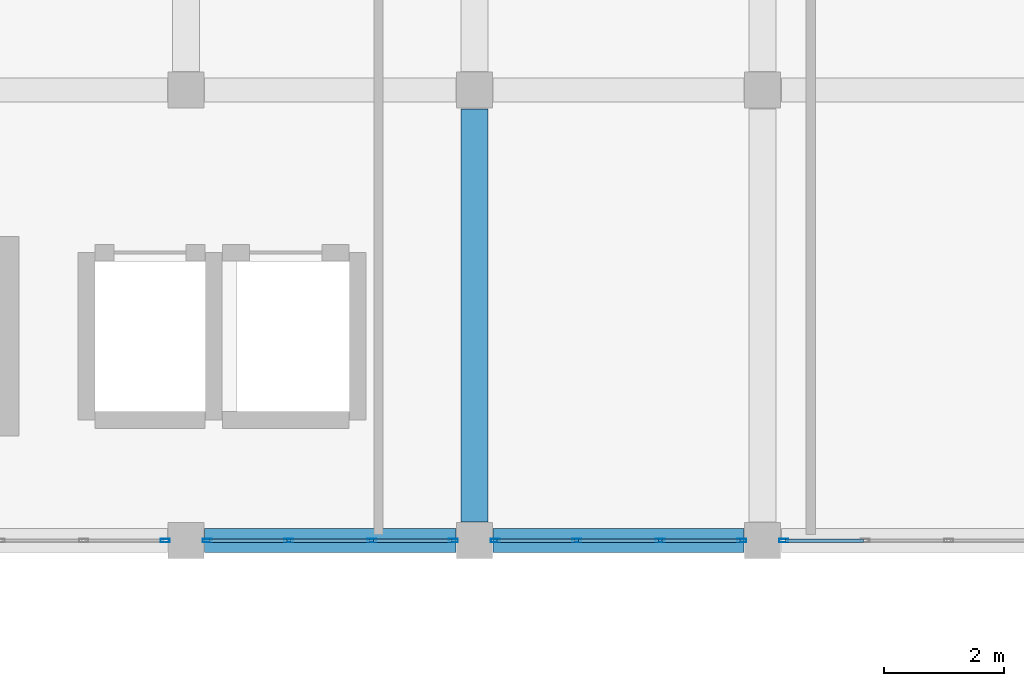
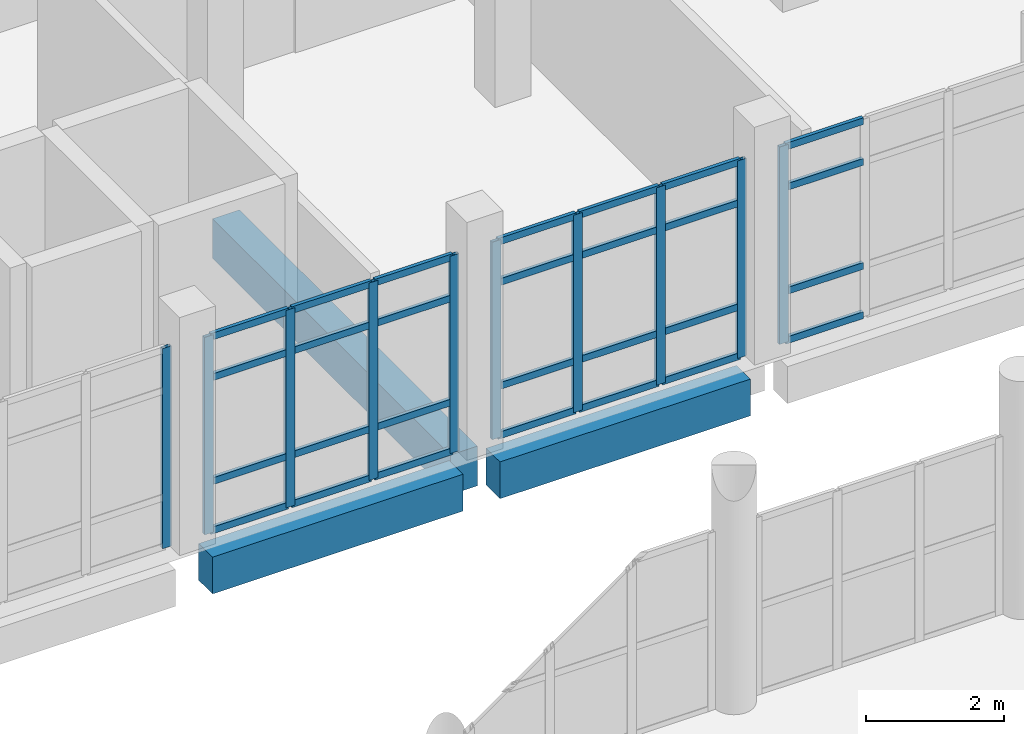
# One storey, part 87 of 164: 38 members, 3 beams, 4 elements without a shape of their own.
"""IFC4 building model written with IfcOpenShell, lengths in metres."""

from ifc_helpers import new_model, si_unit, direction, frame, origin, origin_2d, place, context, subcontext, project, spatial, rectangle, hollow_rectangle, extrude, material, layer, layer_set, material_profile, profile_set, type_object, element, aggregate, save


model = new_model("IFC4")

# Units and contexts
model_context = context("Model", 3, precision=1e-05, world=origin(), true_north=direction((0.0, 1.0)))
body_context = subcontext(model_context, "Body", "Model", "MODEL_VIEW")
ifc_project = project(units=[si_unit("LENGTHUNIT", "METRE"), si_unit("AREAUNIT", "SQUARE_METRE"), si_unit("VOLUMEUNIT", "CUBIC_METRE"), si_unit("PLANEANGLEUNIT", "RADIAN"), si_unit("MASSUNIT", "GRAM", prefix="KILO")], contexts=[model_context])

# Site, building, storey
site_placement = place(None, origin())
site = spatial("IfcSite", under=ifc_project, at=site_placement, CompositionType="ELEMENT")
building_placement = place(site_placement, origin())
building = spatial("IfcBuilding", under=site, at=building_placement, Name="Mawjan Specialist Oncology Clinic", CompositionType="ELEMENT")
storey_placement = place(building_placement, frame((0.0, 0.0, 5.0)))
storey = spatial("IfcBuildingStorey", under=building, at=storey_placement, Name="L01", CompositionType="ELEMENT", Elevation=5.0)

# Beam
ifc_material_1 = material(Name="Concrete C40/50", Category="concrete")
ifc_material_profile_1 = material_profile(ifc_material_1, rectangle(XDim=0.449951171875, YDim=0.699951171875, at=origin_2d()), Name="RC BM 450x700", Category="concrete")
ifc_profile_set_1 = profile_set([ifc_material_profile_1], Name="Concrete C40/50")
beam_type_1 = type_object("IfcBeamType", Name="BM-450x700", PredefinedType="BEAM", material=ifc_profile_set_1)
beam_1_placement = place(storey_placement, frame((69.60009765625, 83.610107421875, -0.64990234375), z_axis=(0.0, 1.0, 0.0), x_axis=(-1.0, 0.0, 0.0)))
element("IfcBeam", 1, at=beam_1_placement, inside=storey, type_object=beam_type_1, Name="L01 Collector Beam BM-L01-0504", PredefinedType="BEAM", context=body_context, shape_type="SweptSolid", body=[
    extrude(rectangle(XDim=0.449951171875, YDim=0.699951171875, at=origin_2d()), origin(), (0.0, 0.0, 1.0), 6.8798828125),
])

# Curtain wall, member
ifc_material_2 = material(Name="Unitised spectrally selective aluminium curtain wall", Category="aluminium")
ifc_layer_1 = layer(ifc_material_2, 0.179931640625, Name="Unitised spectrally selective aluminium curtain wall", Category="aluminium")
ifc_layer_set_1 = layer_set([ifc_layer_1], Name="Unitised spectrally selective aluminium curtain wall")
curtain_wall_type_1 = type_object("IfcCurtainWallType", Name="CW-58", PredefinedType="NOTDEFINED", material=ifc_layer_set_1)
curtain_wall_1_placement = place(storey_placement, origin())
curtain_wall_1 = element("IfcCurtainWall", 2, at=curtain_wall_1_placement, inside=storey, type_object=curtain_wall_type_1, Name="L01 Unitised Curtain Wall CW-L01-110", PredefinedType="NOTDEFINED")
ifc_material_3 = material(Name="Thermally broken aluminium 6063-T6", Category="aluminium")
ifc_material_profile_2 = material_profile(ifc_material_3, hollow_rectangle(XDim=0.06005859375, YDim=0.14990234375, WallThickness=0.00390625, at=origin_2d()), Name="ALU MULLION 150x60x4", Category="aluminium")
ifc_profile_set_2 = profile_set([ifc_material_profile_2], Name="Thermally broken aluminium 6063-T6")
member_type_1 = type_object("IfcMemberType", Name="CW-M150", PredefinedType="MULLION", material=ifc_profile_set_2)
member_1_placement = place(storey_placement, frame((74.75, 83.300048828125, 0.0), z_axis=(0.0, 0.0, 1.0), x_axis=(0.0, -1.0, 0.0)))
member_1 = element("IfcMember", 3, at=member_1_placement, type_object=member_type_1, Name="CW-58 mullion 4", PredefinedType="MULLION", context=body_context, shape_type="SweptSolid", body=[
    extrude(hollow_rectangle(XDim=0.06005859375, YDim=0.14990234375, WallThickness=0.00390625, at=origin_2d()), origin(), (0.0, 0.0, 1.0), 3.485107421875),
])

# Curtain wall, members
curtain_wall_2_placement = place(storey_placement, origin())
curtain_wall_2 = element("IfcCurtainWall", 4, at=curtain_wall_2_placement, inside=storey, type_object=curtain_wall_type_1, Name="L01 Unitised Curtain Wall CW-L01-111", PredefinedType="NOTDEFINED")
member_2_placement = place(storey_placement, frame((74.050048828125, 83.300048828125, 0.0), z_axis=(0.0, 0.0, 1.0), x_axis=(0.0, -1.0, 0.0)))
member_2 = element("IfcMember", 5, at=member_2_placement, type_object=member_type_1, Name="CW-58 mullion 1", PredefinedType="MULLION", context=body_context, shape_type="SweptSolid", body=[
    extrude(hollow_rectangle(XDim=0.06005859375, YDim=0.14990234375, WallThickness=0.00390625, at=origin_2d()), origin(), (0.0, 0.0, 1.0), 3.485107421875),
])
member_3_placement = place(storey_placement, frame((72.693359375, 83.300048828125, 0.0), z_axis=(0.0, 0.0, 1.0), x_axis=(0.0, -1.0, 0.0)))
member_3 = element("IfcMember", 6, at=member_3_placement, type_object=member_type_1, Name="CW-58 mullion 2", PredefinedType="MULLION", context=body_context, shape_type="SweptSolid", body=[
    extrude(hollow_rectangle(XDim=0.06005859375, YDim=0.14990234375, WallThickness=0.00390625, at=origin_2d()), origin(), (0.0, 0.0, 1.0), 3.485107421875),
])
member_4_placement = place(storey_placement, frame((71.306640625, 83.300048828125, 0.0), z_axis=(0.0, 0.0, 1.0), x_axis=(0.0, -1.0, 0.0)))
member_4 = element("IfcMember", 7, at=member_4_placement, type_object=member_type_1, Name="CW-58 mullion 3", PredefinedType="MULLION", context=body_context, shape_type="SweptSolid", body=[
    extrude(hollow_rectangle(XDim=0.06005859375, YDim=0.14990234375, WallThickness=0.00390625, at=origin_2d()), origin(), (0.0, 0.0, 1.0), 3.485107421875),
])
member_5_placement = place(storey_placement, frame((69.949951171875, 83.300048828125, 0.0), z_axis=(0.0, 0.0, 1.0), x_axis=(0.0, -1.0, 0.0)))
member_5 = element("IfcMember", 8, at=member_5_placement, type_object=member_type_1, Name="CW-58 mullion 4", PredefinedType="MULLION", context=body_context, shape_type="SweptSolid", body=[
    extrude(hollow_rectangle(XDim=0.06005859375, YDim=0.14990234375, WallThickness=0.00390625, at=origin_2d()), origin(), (0.0, 0.0, 1.0), 3.485107421875),
])

curtain_wall_3_placement = place(storey_placement, origin())
curtain_wall_3 = element("IfcCurtainWall", 9, at=curtain_wall_3_placement, inside=storey, type_object=curtain_wall_type_1, Name="L01 Unitised Curtain Wall CW-L01-112", PredefinedType="NOTDEFINED")
member_6_placement = place(storey_placement, frame((69.25, 83.300048828125, 0.0), z_axis=(0.0, 0.0, 1.0), x_axis=(0.0, -1.0, 0.0)))
member_6 = element("IfcMember", 10, at=member_6_placement, type_object=member_type_1, Name="CW-58 mullion 1", PredefinedType="MULLION", context=body_context, shape_type="SweptSolid", body=[
    extrude(hollow_rectangle(XDim=0.06005859375, YDim=0.14990234375, WallThickness=0.00390625, at=origin_2d()), origin(), (0.0, 0.0, 1.0), 3.485107421875),
])
member_7_placement = place(storey_placement, frame((67.893310546875, 83.300048828125, 0.0), z_axis=(0.0, 0.0, 1.0), x_axis=(0.0, -1.0, 0.0)))
member_7 = element("IfcMember", 11, at=member_7_placement, type_object=member_type_1, Name="CW-58 mullion 2", PredefinedType="MULLION", context=body_context, shape_type="SweptSolid", body=[
    extrude(hollow_rectangle(XDim=0.06005859375, YDim=0.14990234375, WallThickness=0.00390625, at=origin_2d()), origin(), (0.0, 0.0, 1.0), 3.485107421875),
])
member_8_placement = place(storey_placement, frame((66.506591796875, 83.300048828125, 0.0), z_axis=(0.0, 0.0, 1.0), x_axis=(0.0, -1.0, 0.0)))
member_8 = element("IfcMember", 12, at=member_8_placement, type_object=member_type_1, Name="CW-58 mullion 3", PredefinedType="MULLION", context=body_context, shape_type="SweptSolid", body=[
    extrude(hollow_rectangle(XDim=0.06005859375, YDim=0.14990234375, WallThickness=0.00390625, at=origin_2d()), origin(), (0.0, 0.0, 1.0), 3.485107421875),
])
member_9_placement = place(storey_placement, frame((65.14990234375, 83.300048828125, 0.0), z_axis=(0.0, 0.0, 1.0), x_axis=(0.0, -1.0, 0.0)))
member_9 = element("IfcMember", 13, at=member_9_placement, type_object=member_type_1, Name="CW-58 mullion 4", PredefinedType="MULLION", context=body_context, shape_type="SweptSolid", body=[
    extrude(hollow_rectangle(XDim=0.06005859375, YDim=0.14990234375, WallThickness=0.00390625, at=origin_2d()), origin(), (0.0, 0.0, 1.0), 3.485107421875),
])

# Curtain wall, member
ifc_material_4 = material(Name="Unitised spectrally selective aluminium curtain wall", Category="aluminium")
ifc_layer_2 = layer(ifc_material_4, 0.179931640625, Name="Unitised spectrally selective aluminium curtain wall", Category="aluminium")
ifc_layer_set_2 = layer_set([ifc_layer_2], Name="Unitised spectrally selective aluminium curtain wall")
curtain_wall_type_2 = type_object("IfcCurtainWallType", Name="CW-59", PredefinedType="NOTDEFINED", material=ifc_layer_set_2)
curtain_wall_4_placement = place(storey_placement, origin())
curtain_wall_4 = element("IfcCurtainWall", 14, at=curtain_wall_4_placement, inside=storey, type_object=curtain_wall_type_2, Name="L01 Unitised Curtain Wall CW-L01-113", PredefinedType="NOTDEFINED")
member_10_placement = place(storey_placement, frame((64.449951171875, 83.300048828125, 0.0), z_axis=(0.0, 0.0, 1.0), x_axis=(0.0, -1.0, 0.0)))
member_10 = element("IfcMember", 15, at=member_10_placement, type_object=member_type_1, Name="CW-59 mullion 1", PredefinedType="MULLION", context=body_context, shape_type="SweptSolid", body=[
    extrude(hollow_rectangle(XDim=0.06005859375, YDim=0.14990234375, WallThickness=0.00390625, at=origin_2d()), origin(), (0.0, 0.0, 1.0), 3.534912109375),
])
aggregate(curtain_wall_4, [member_10])

# Member
ifc_material_5 = material(Name="Thermally broken aluminium 6063-T6", Category="aluminium")
ifc_material_profile_3 = material_profile(ifc_material_5, hollow_rectangle(XDim=0.06005859375, YDim=0.1201171875, WallThickness=0.00390625, at=origin_2d()), Name="ALU TRANSOM 120x60x4", Category="aluminium")
ifc_profile_set_3 = profile_set([ifc_material_profile_3], Name="Thermally broken aluminium 6063-T6")
member_type_2 = type_object("IfcMemberType", Name="CW-T120", PredefinedType="USERDEFINED", material=ifc_profile_set_3)
member_11_placement = place(storey_placement, frame((76.07666015625, 83.300048828125, 0.030029296875), z_axis=(-1.0, 0.0, 0.0), x_axis=(0.0, -1.0, 0.0)))
member_11 = element("IfcMember", 16, at=member_11_placement, type_object=member_type_2, Name="CW-58 transom 3.1", ObjectType="TRANSOM", PredefinedType="USERDEFINED", context=body_context, shape_type="SweptSolid", body=[
    extrude(hollow_rectangle(XDim=0.06005859375, YDim=0.1201171875, WallThickness=0.00390625, at=origin_2d()), origin(), (0.0, 0.0, 1.0), 1.296630859375),
])

member_12_placement = place(storey_placement, frame((76.07666015625, 83.300048828125, 0.89990234375), z_axis=(-1.0, 0.0, 0.0), x_axis=(0.0, -1.0, 0.0)))
member_12 = element("IfcMember", 17, at=member_12_placement, type_object=member_type_2, Name="CW-58 transom 3.2", ObjectType="TRANSOM", PredefinedType="USERDEFINED", context=body_context, shape_type="SweptSolid", body=[
    extrude(hollow_rectangle(XDim=0.06005859375, YDim=0.1201171875, WallThickness=0.00390625, at=origin_2d()), origin(), (0.0, 0.0, 1.0), 1.296630859375),
])

member_13_placement = place(storey_placement, frame((76.07666015625, 83.300048828125, 2.735107421875), z_axis=(-1.0, 0.0, 0.0), x_axis=(0.0, -1.0, 0.0)))
member_13 = element("IfcMember", 18, at=member_13_placement, type_object=member_type_2, Name="CW-58 transom 3.3", ObjectType="TRANSOM", PredefinedType="USERDEFINED", context=body_context, shape_type="SweptSolid", body=[
    extrude(hollow_rectangle(XDim=0.06005859375, YDim=0.1201171875, WallThickness=0.00390625, at=origin_2d()), origin(), (0.0, 0.0, 1.0), 1.296630859375),
])

member_14_placement = place(storey_placement, frame((76.07666015625, 83.300048828125, 3.455078125), z_axis=(-1.0, 0.0, 0.0), x_axis=(0.0, -1.0, 0.0)))
member_14 = element("IfcMember", 19, at=member_14_placement, type_object=member_type_2, Name="CW-58 transom 3.4", ObjectType="TRANSOM", PredefinedType="USERDEFINED", context=body_context, shape_type="SweptSolid", body=[
    extrude(hollow_rectangle(XDim=0.06005859375, YDim=0.1201171875, WallThickness=0.00390625, at=origin_2d()), origin(), (0.0, 0.0, 1.0), 1.296630859375),
])

aggregate(curtain_wall_1, [member_1, member_11, member_12, member_13, member_14])

member_15_placement = place(storey_placement, frame((74.02001953125, 83.300048828125, 0.030029296875), z_axis=(-1.0, 0.0, 0.0), x_axis=(0.0, -1.0, 0.0)))
member_15 = element("IfcMember", 20, at=member_15_placement, type_object=member_type_2, Name="CW-58 transom 1.1", ObjectType="TRANSOM", PredefinedType="USERDEFINED", context=body_context, shape_type="SweptSolid", body=[
    extrude(hollow_rectangle(XDim=0.06005859375, YDim=0.1201171875, WallThickness=0.00390625, at=origin_2d()), origin(), (0.0, 0.0, 1.0), 1.296630859375),
])

member_16_placement = place(storey_placement, frame((74.02001953125, 83.300048828125, 0.89990234375), z_axis=(-1.0, 0.0, 0.0), x_axis=(0.0, -1.0, 0.0)))
member_16 = element("IfcMember", 21, at=member_16_placement, type_object=member_type_2, Name="CW-58 transom 1.2", ObjectType="TRANSOM", PredefinedType="USERDEFINED", context=body_context, shape_type="SweptSolid", body=[
    extrude(hollow_rectangle(XDim=0.06005859375, YDim=0.1201171875, WallThickness=0.00390625, at=origin_2d()), origin(), (0.0, 0.0, 1.0), 1.296630859375),
])

member_17_placement = place(storey_placement, frame((74.02001953125, 83.300048828125, 2.735107421875), z_axis=(-1.0, 0.0, 0.0), x_axis=(0.0, -1.0, 0.0)))
member_17 = element("IfcMember", 22, at=member_17_placement, type_object=member_type_2, Name="CW-58 transom 1.3", ObjectType="TRANSOM", PredefinedType="USERDEFINED", context=body_context, shape_type="SweptSolid", body=[
    extrude(hollow_rectangle(XDim=0.06005859375, YDim=0.1201171875, WallThickness=0.00390625, at=origin_2d()), origin(), (0.0, 0.0, 1.0), 1.296630859375),
])

member_18_placement = place(storey_placement, frame((74.02001953125, 83.300048828125, 3.455078125), z_axis=(-1.0, 0.0, 0.0), x_axis=(0.0, -1.0, 0.0)))
member_18 = element("IfcMember", 23, at=member_18_placement, type_object=member_type_2, Name="CW-58 transom 1.4", ObjectType="TRANSOM", PredefinedType="USERDEFINED", context=body_context, shape_type="SweptSolid", body=[
    extrude(hollow_rectangle(XDim=0.06005859375, YDim=0.1201171875, WallThickness=0.00390625, at=origin_2d()), origin(), (0.0, 0.0, 1.0), 1.296630859375),
])

member_19_placement = place(storey_placement, frame((72.663330078125, 83.300048828125, 0.030029296875), z_axis=(-1.0, 0.0, 0.0), x_axis=(0.0, -1.0, 0.0)))
member_19 = element("IfcMember", 24, at=member_19_placement, type_object=member_type_2, Name="CW-58 transom 2.1", ObjectType="TRANSOM", PredefinedType="USERDEFINED", context=body_context, shape_type="SweptSolid", body=[
    extrude(hollow_rectangle(XDim=0.06005859375, YDim=0.1201171875, WallThickness=0.00390625, at=origin_2d()), origin(), (0.0, 0.0, 1.0), 1.32666015625),
])

member_20_placement = place(storey_placement, frame((72.663330078125, 83.300048828125, 0.89990234375), z_axis=(-1.0, 0.0, 0.0), x_axis=(0.0, -1.0, 0.0)))
member_20 = element("IfcMember", 25, at=member_20_placement, type_object=member_type_2, Name="CW-58 transom 2.2", ObjectType="TRANSOM", PredefinedType="USERDEFINED", context=body_context, shape_type="SweptSolid", body=[
    extrude(hollow_rectangle(XDim=0.06005859375, YDim=0.1201171875, WallThickness=0.00390625, at=origin_2d()), origin(), (0.0, 0.0, 1.0), 1.32666015625),
])

member_21_placement = place(storey_placement, frame((72.663330078125, 83.300048828125, 2.735107421875), z_axis=(-1.0, 0.0, 0.0), x_axis=(0.0, -1.0, 0.0)))
member_21 = element("IfcMember", 26, at=member_21_placement, type_object=member_type_2, Name="CW-58 transom 2.3", ObjectType="TRANSOM", PredefinedType="USERDEFINED", context=body_context, shape_type="SweptSolid", body=[
    extrude(hollow_rectangle(XDim=0.06005859375, YDim=0.1201171875, WallThickness=0.00390625, at=origin_2d()), origin(), (0.0, 0.0, 1.0), 1.32666015625),
])

member_22_placement = place(storey_placement, frame((72.663330078125, 83.300048828125, 3.455078125), z_axis=(-1.0, 0.0, 0.0), x_axis=(0.0, -1.0, 0.0)))
member_22 = element("IfcMember", 27, at=member_22_placement, type_object=member_type_2, Name="CW-58 transom 2.4", ObjectType="TRANSOM", PredefinedType="USERDEFINED", context=body_context, shape_type="SweptSolid", body=[
    extrude(hollow_rectangle(XDim=0.06005859375, YDim=0.1201171875, WallThickness=0.00390625, at=origin_2d()), origin(), (0.0, 0.0, 1.0), 1.32666015625),
])

member_23_placement = place(storey_placement, frame((71.276611328125, 83.300048828125, 0.030029296875), z_axis=(-1.0, 0.0, 0.0), x_axis=(0.0, -1.0, 0.0)))
member_23 = element("IfcMember", 28, at=member_23_placement, type_object=member_type_2, Name="CW-58 transom 3.1", ObjectType="TRANSOM", PredefinedType="USERDEFINED", context=body_context, shape_type="SweptSolid", body=[
    extrude(hollow_rectangle(XDim=0.06005859375, YDim=0.1201171875, WallThickness=0.00390625, at=origin_2d()), origin(), (0.0, 0.0, 1.0), 1.296630859375),
])

member_24_placement = place(storey_placement, frame((71.276611328125, 83.300048828125, 0.89990234375), z_axis=(-1.0, 0.0, 0.0), x_axis=(0.0, -1.0, 0.0)))
member_24 = element("IfcMember", 29, at=member_24_placement, type_object=member_type_2, Name="CW-58 transom 3.2", ObjectType="TRANSOM", PredefinedType="USERDEFINED", context=body_context, shape_type="SweptSolid", body=[
    extrude(hollow_rectangle(XDim=0.06005859375, YDim=0.1201171875, WallThickness=0.00390625, at=origin_2d()), origin(), (0.0, 0.0, 1.0), 1.296630859375),
])

member_25_placement = place(storey_placement, frame((71.276611328125, 83.300048828125, 2.735107421875), z_axis=(-1.0, 0.0, 0.0), x_axis=(0.0, -1.0, 0.0)))
member_25 = element("IfcMember", 30, at=member_25_placement, type_object=member_type_2, Name="CW-58 transom 3.3", ObjectType="TRANSOM", PredefinedType="USERDEFINED", context=body_context, shape_type="SweptSolid", body=[
    extrude(hollow_rectangle(XDim=0.06005859375, YDim=0.1201171875, WallThickness=0.00390625, at=origin_2d()), origin(), (0.0, 0.0, 1.0), 1.296630859375),
])

member_26_placement = place(storey_placement, frame((71.276611328125, 83.300048828125, 3.455078125), z_axis=(-1.0, 0.0, 0.0), x_axis=(0.0, -1.0, 0.0)))
member_26 = element("IfcMember", 31, at=member_26_placement, type_object=member_type_2, Name="CW-58 transom 3.4", ObjectType="TRANSOM", PredefinedType="USERDEFINED", context=body_context, shape_type="SweptSolid", body=[
    extrude(hollow_rectangle(XDim=0.06005859375, YDim=0.1201171875, WallThickness=0.00390625, at=origin_2d()), origin(), (0.0, 0.0, 1.0), 1.296630859375),
])

aggregate(curtain_wall_2, [member_2, member_3, member_4, member_5, member_15, member_16, member_17, member_18, member_19, member_20, member_21, member_22, member_23, member_24, member_25, member_26])

member_27_placement = place(storey_placement, frame((69.219970703125, 83.300048828125, 0.030029296875), z_axis=(-1.0, 0.0, 0.0), x_axis=(0.0, -1.0, 0.0)))
member_27 = element("IfcMember", 32, at=member_27_placement, type_object=member_type_2, Name="CW-58 transom 1.1", ObjectType="TRANSOM", PredefinedType="USERDEFINED", context=body_context, shape_type="SweptSolid", body=[
    extrude(hollow_rectangle(XDim=0.06005859375, YDim=0.1201171875, WallThickness=0.00390625, at=origin_2d()), origin(), (0.0, 0.0, 1.0), 1.296630859375),
])

member_28_placement = place(storey_placement, frame((69.219970703125, 83.300048828125, 0.89990234375), z_axis=(-1.0, 0.0, 0.0), x_axis=(0.0, -1.0, 0.0)))
member_28 = element("IfcMember", 33, at=member_28_placement, type_object=member_type_2, Name="CW-58 transom 1.2", ObjectType="TRANSOM", PredefinedType="USERDEFINED", context=body_context, shape_type="SweptSolid", body=[
    extrude(hollow_rectangle(XDim=0.06005859375, YDim=0.1201171875, WallThickness=0.00390625, at=origin_2d()), origin(), (0.0, 0.0, 1.0), 1.296630859375),
])

member_29_placement = place(storey_placement, frame((69.219970703125, 83.300048828125, 2.735107421875), z_axis=(-1.0, 0.0, 0.0), x_axis=(0.0, -1.0, 0.0)))
member_29 = element("IfcMember", 34, at=member_29_placement, type_object=member_type_2, Name="CW-58 transom 1.3", ObjectType="TRANSOM", PredefinedType="USERDEFINED", context=body_context, shape_type="SweptSolid", body=[
    extrude(hollow_rectangle(XDim=0.06005859375, YDim=0.1201171875, WallThickness=0.00390625, at=origin_2d()), origin(), (0.0, 0.0, 1.0), 1.296630859375),
])

member_30_placement = place(storey_placement, frame((69.219970703125, 83.300048828125, 3.455078125), z_axis=(-1.0, 0.0, 0.0), x_axis=(0.0, -1.0, 0.0)))
member_30 = element("IfcMember", 35, at=member_30_placement, type_object=member_type_2, Name="CW-58 transom 1.4", ObjectType="TRANSOM", PredefinedType="USERDEFINED", context=body_context, shape_type="SweptSolid", body=[
    extrude(hollow_rectangle(XDim=0.06005859375, YDim=0.1201171875, WallThickness=0.00390625, at=origin_2d()), origin(), (0.0, 0.0, 1.0), 1.296630859375),
])

member_31_placement = place(storey_placement, frame((67.86328125, 83.300048828125, 0.030029296875), z_axis=(-1.0, 0.0, 0.0), x_axis=(0.0, -1.0, 0.0)))
member_31 = element("IfcMember", 36, at=member_31_placement, type_object=member_type_2, Name="CW-58 transom 2.1", ObjectType="TRANSOM", PredefinedType="USERDEFINED", context=body_context, shape_type="SweptSolid", body=[
    extrude(hollow_rectangle(XDim=0.06005859375, YDim=0.1201171875, WallThickness=0.00390625, at=origin_2d()), origin(), (0.0, 0.0, 1.0), 1.32666015625),
])

member_32_placement = place(storey_placement, frame((67.86328125, 83.300048828125, 0.89990234375), z_axis=(-1.0, 0.0, 0.0), x_axis=(0.0, -1.0, 0.0)))
member_32 = element("IfcMember", 37, at=member_32_placement, type_object=member_type_2, Name="CW-58 transom 2.2", ObjectType="TRANSOM", PredefinedType="USERDEFINED", context=body_context, shape_type="SweptSolid", body=[
    extrude(hollow_rectangle(XDim=0.06005859375, YDim=0.1201171875, WallThickness=0.00390625, at=origin_2d()), origin(), (0.0, 0.0, 1.0), 1.32666015625),
])

member_33_placement = place(storey_placement, frame((67.86328125, 83.300048828125, 2.735107421875), z_axis=(-1.0, 0.0, 0.0), x_axis=(0.0, -1.0, 0.0)))
member_33 = element("IfcMember", 38, at=member_33_placement, type_object=member_type_2, Name="CW-58 transom 2.3", ObjectType="TRANSOM", PredefinedType="USERDEFINED", context=body_context, shape_type="SweptSolid", body=[
    extrude(hollow_rectangle(XDim=0.06005859375, YDim=0.1201171875, WallThickness=0.00390625, at=origin_2d()), origin(), (0.0, 0.0, 1.0), 1.32666015625),
])

member_34_placement = place(storey_placement, frame((67.86328125, 83.300048828125, 3.455078125), z_axis=(-1.0, 0.0, 0.0), x_axis=(0.0, -1.0, 0.0)))
member_34 = element("IfcMember", 39, at=member_34_placement, type_object=member_type_2, Name="CW-58 transom 2.4", ObjectType="TRANSOM", PredefinedType="USERDEFINED", context=body_context, shape_type="SweptSolid", body=[
    extrude(hollow_rectangle(XDim=0.06005859375, YDim=0.1201171875, WallThickness=0.00390625, at=origin_2d()), origin(), (0.0, 0.0, 1.0), 1.32666015625),
])

member_35_placement = place(storey_placement, frame((66.4765625, 83.300048828125, 0.030029296875), z_axis=(-1.0, 0.0, 0.0), x_axis=(0.0, -1.0, 0.0)))
member_35 = element("IfcMember", 40, at=member_35_placement, type_object=member_type_2, Name="CW-58 transom 3.1", ObjectType="TRANSOM", PredefinedType="USERDEFINED", context=body_context, shape_type="SweptSolid", body=[
    extrude(hollow_rectangle(XDim=0.06005859375, YDim=0.1201171875, WallThickness=0.00390625, at=origin_2d()), origin(), (0.0, 0.0, 1.0), 1.296630859375),
])

member_36_placement = place(storey_placement, frame((66.4765625, 83.300048828125, 0.89990234375), z_axis=(-1.0, 0.0, 0.0), x_axis=(0.0, -1.0, 0.0)))
member_36 = element("IfcMember", 41, at=member_36_placement, type_object=member_type_2, Name="CW-58 transom 3.2", ObjectType="TRANSOM", PredefinedType="USERDEFINED", context=body_context, shape_type="SweptSolid", body=[
    extrude(hollow_rectangle(XDim=0.06005859375, YDim=0.1201171875, WallThickness=0.00390625, at=origin_2d()), origin(), (0.0, 0.0, 1.0), 1.296630859375),
])

member_37_placement = place(storey_placement, frame((66.4765625, 83.300048828125, 2.735107421875), z_axis=(-1.0, 0.0, 0.0), x_axis=(0.0, -1.0, 0.0)))
member_37 = element("IfcMember", 42, at=member_37_placement, type_object=member_type_2, Name="CW-58 transom 3.3", ObjectType="TRANSOM", PredefinedType="USERDEFINED", context=body_context, shape_type="SweptSolid", body=[
    extrude(hollow_rectangle(XDim=0.06005859375, YDim=0.1201171875, WallThickness=0.00390625, at=origin_2d()), origin(), (0.0, 0.0, 1.0), 1.296630859375),
])

member_38_placement = place(storey_placement, frame((66.4765625, 83.300048828125, 3.455078125), z_axis=(-1.0, 0.0, 0.0), x_axis=(0.0, -1.0, 0.0)))
member_38 = element("IfcMember", 43, at=member_38_placement, type_object=member_type_2, Name="CW-58 transom 3.4", ObjectType="TRANSOM", PredefinedType="USERDEFINED", context=body_context, shape_type="SweptSolid", body=[
    extrude(hollow_rectangle(XDim=0.06005859375, YDim=0.1201171875, WallThickness=0.00390625, at=origin_2d()), origin(), (0.0, 0.0, 1.0), 1.296630859375),
])

aggregate(curtain_wall_3, [member_6, member_7, member_8, member_9, member_27, member_28, member_29, member_30, member_31, member_32, member_33, member_34, member_35, member_36, member_37, member_38])

# Beams
ifc_material_6 = material(Name="Concrete C45/55", Category="concrete")
ifc_material_profile_4 = material_profile(ifc_material_6, rectangle(XDim=0.39990234375, YDim=0.64990234375, at=origin_2d()), Name="RC BM 400x650", Category="concrete")
ifc_profile_set_4 = profile_set([ifc_material_profile_4], Name="Concrete C45/55")
beam_type_2 = type_object("IfcBeamType", Name="SP-400x650", PredefinedType="SPANDREL", material=ifc_profile_set_4)
beam_2_placement = place(storey_placement, frame((65.110107421875, 83.300048828125, -0.625), z_axis=(1.0, 0.0, 0.0), x_axis=(0.0, 1.0, 0.0)))
element("IfcBeam", 44, at=beam_2_placement, inside=storey, type_object=beam_type_2, Name="L01 Spandrel Beam BM-L01-0344", PredefinedType="SPANDREL", context=body_context, shape_type="SweptSolid", body=[
    extrude(rectangle(XDim=0.39990234375, YDim=0.64990234375, at=origin_2d()), origin(), (0.0, 0.0, 1.0), 4.179931640625),
])
beam_3_placement = place(storey_placement, frame((69.909912109375, 83.300048828125, -0.625), z_axis=(1.0, 0.0, 0.0), x_axis=(0.0, 1.0, 0.0)))
element("IfcBeam", 45, at=beam_3_placement, inside=storey, type_object=beam_type_2, Name="L01 Spandrel Beam BM-L01-0345", PredefinedType="SPANDREL", context=body_context, shape_type="SweptSolid", body=[
    extrude(rectangle(XDim=0.39990234375, YDim=0.64990234375, at=origin_2d()), origin(), (0.0, 0.0, 1.0), 4.18017578125),
])

save(model, "model.ifc")
